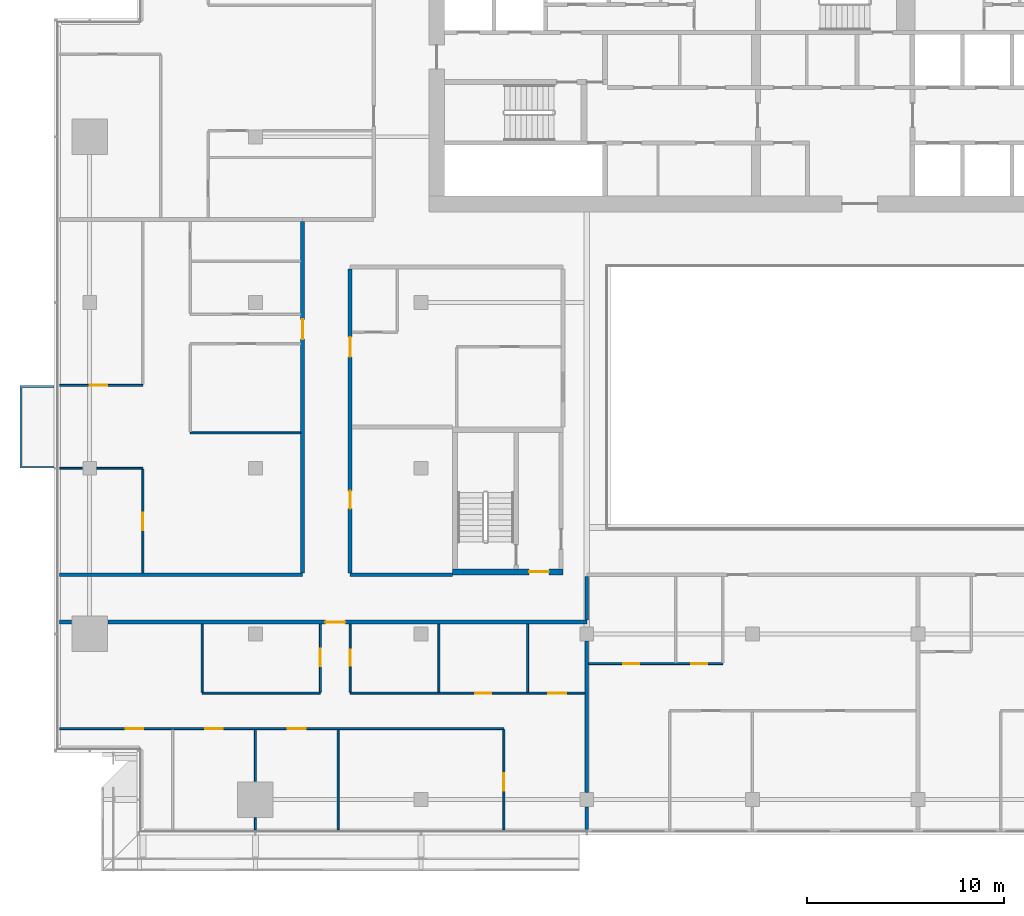
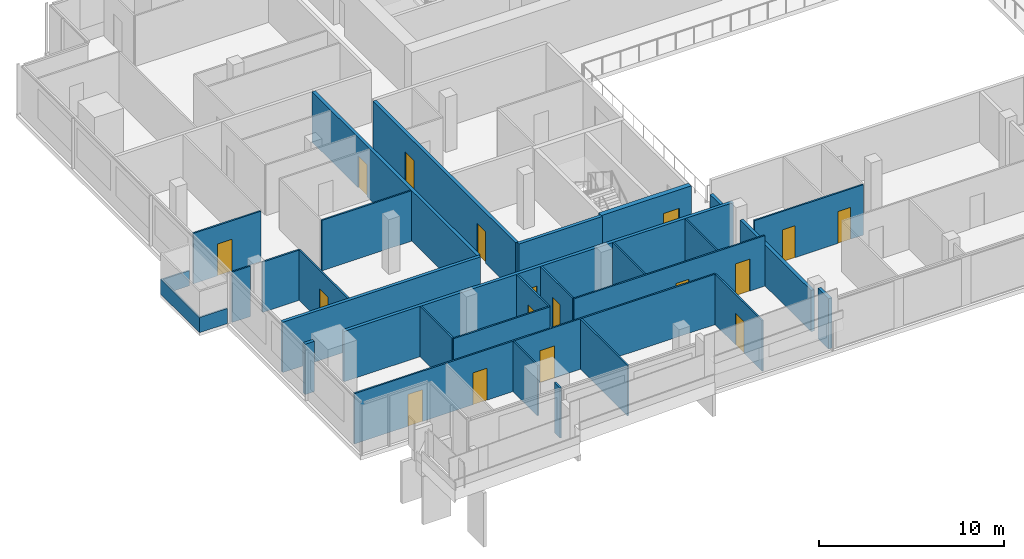
# One storey, part 17 of 30: 29 walls, 17 doors, 17 openings.
"""IFC4 building model written with IfcOpenShell, lengths in metres."""

from ifc_helpers import new_model, si_unit, direction, frame, frame_2d, origin, place, context, subcontext, project, spatial, polyline, rectangle, outline, extrude, material, layer, layer_set, type_object, element, fill, save


model = new_model("IFC4")

# Units and contexts
model_context = context("Model", 3, precision=1e-05, world=origin(), true_north=direction((0.0, 1.0)))
body_context = subcontext(model_context, "Body", "Model", "MODEL_VIEW")
ifc_project = project(units=[si_unit("LENGTHUNIT", "METRE"), si_unit("AREAUNIT", "SQUARE_METRE"), si_unit("VOLUMEUNIT", "CUBIC_METRE"), si_unit("PLANEANGLEUNIT", "RADIAN"), si_unit("MASSUNIT", "GRAM", prefix="KILO")], contexts=[model_context])

# Site, building, storey
site_placement = place(None, origin())
site = spatial("IfcSite", under=ifc_project, at=site_placement, CompositionType="ELEMENT")
building_placement = place(site_placement, origin())
building = spatial("IfcBuilding", under=site, at=building_placement, Name="Saffron Gate Tower", CompositionType="ELEMENT")
storey_placement = place(building_placement, frame((0.0, 0.0, 169.050048828125)))
storey = spatial("IfcBuildingStorey", under=building, at=storey_placement, Name="L41", CompositionType="ELEMENT", Elevation=169.050048828125)

# Wall, opening, door
ifc_material_1 = material(Name="Concrete C60", Category="concrete")
ifc_layer_1 = layer(ifc_material_1, 0.300048828125)
ifc_layer_set_1 = layer_set([ifc_layer_1], Name="CW17 RC core wall 300 C60")
wall_type_1 = type_object("IfcWallType", Name="CW17 RC core wall 300 C60", PredefinedType="SOLIDWALL", material=ifc_layer_set_1)
wall_1_placement = place(storey_placement, frame((68.199951171875, 43.35009765625, 0.0), z_axis=(0.0, 0.0, 1.0), x_axis=(1.0, 0.0, 0.0)))
wall_1 = element("IfcWall", 1, at=wall_1_placement, inside=storey, type_object=wall_type_1, Name="Wall CW17-L41-D-1", PredefinedType="SOLIDWALL", context=body_context, shape_type="SweptSolid", body=[
    extrude(rectangle(XDim=5.60009765625, YDim=0.300048828125, at=frame_2d((2.800048828125, 0.0))), origin(), (0.0, 0.0, 1.0), 3.320068359375),
])
opening_1_placement = place(wall_1_placement, frame((3.875, 0.0, 0.0)))
opening_1 = element("IfcOpeningElement", 2, at=opening_1_placement, cuts=wall_1, Name="Opening CR-18", PredefinedType="OPENING", context=body_context, shape_type="SweptSolid", body=[
    extrude(rectangle(XDim=1.0, YDim=2.10009765625, at=frame_2d((0.5, 1.050048828125))), frame((0.0, 0.16015625, 0.0), z_axis=(0.0, -1.0, 0.0), x_axis=(1.0, 0.0, 0.0)), (0.0, 0.0, 1.0), 0.320068359375),
])
ifc_material_2 = material(Name="Steel fire door set", Category="steel")
door_type_1 = type_object("IfcDoorType", Name="CD4 Lobby door 1000x2100 EI 120", OperationType="NOTDEFINED", PredefinedType="DOOR", material=ifc_material_2)
door_1_placement = place(opening_1_placement, origin())
door_1 = element("IfcDoor", 3, at=door_1_placement, inside=storey, type_object=door_type_1, Name="DOOR CR-18", OperationType="SINGLE_SWING_RIGHT", OverallHeight=2.10009765625, OverallWidth=1.0, PredefinedType="DOOR", context=body_context, shape_type="SweptSolid", body=[
    extrude(rectangle(XDim=1.0, YDim=2.10009765625, at=frame_2d((0.5, 1.050048828125))), frame((0.0, 0.02490234375, 0.0), z_axis=(0.0, -1.0, 0.0), x_axis=(1.0, 0.0, 0.0)), (0.0, 0.0, 1.0), 0.050048828125),
])
fill(opening_1, door_1)

# Wall, openings, doors
ifc_material_3 = material(Name="Plasterboard on steel studs", Category="steel")
ifc_layer_2 = layer(ifc_material_3, 0.10009765625)
ifc_layer_set_2 = layer_set([ifc_layer_2], Name="PW1 Partition 100")
wall_type_2 = type_object("IfcWallType", Name="PW1 Partition 100", PredefinedType="PARTITIONING", material=ifc_layer_set_2)
wall_2_placement = place(storey_placement, frame((70.800048828125, 35.39990234375, 0.0), z_axis=(0.0, 0.0, 1.0), x_axis=(-1.0, 0.0, 0.0)))
wall_2 = element("IfcWall", 4, at=wall_2_placement, inside=storey, type_object=wall_type_2, Name="Partition C3-2", PredefinedType="PARTITIONING", context=body_context, shape_type="SweptSolid", body=[
    extrude(rectangle(XDim=22.52001953125, YDim=0.10009765625, at=frame_2d((11.260009765625, 0.0))), origin(), (0.0, 0.0, 1.0), 3.320068359375),
])
opening_2_placement = place(wall_2_placement, frame((10.050048828125, 0.0, 0.0)))
opening_2 = element("IfcOpeningElement", 5, at=opening_2_placement, cuts=wall_2, Name="Opening C3-13", PredefinedType="OPENING", context=body_context, shape_type="SweptSolid", body=[
    extrude(rectangle(XDim=0.89990234375, YDim=2.10009765625, at=frame_2d((0.449951171875, 1.050048828125))), frame((0.0, 0.06005859375, 0.0), z_axis=(0.0, -1.0, 0.0), x_axis=(1.0, 0.0, 0.0)), (0.0, 0.0, 1.0), 0.1201171875),
])
opening_3_placement = place(wall_2_placement, frame((14.25, 0.0, 0.0)))
opening_3 = element("IfcOpeningElement", 6, at=opening_3_placement, cuts=wall_2, Name="Opening C3-12", PredefinedType="OPENING", context=body_context, shape_type="SweptSolid", body=[
    extrude(rectangle(XDim=0.89990234375, YDim=2.10009765625, at=frame_2d((0.449951171875, 1.050048828125))), frame((0.0, 0.06005859375, 0.0), z_axis=(0.0, -1.0, 0.0), x_axis=(1.0, 0.0, 0.0)), (0.0, 0.0, 1.0), 0.1201171875),
])
opening_4_placement = place(wall_2_placement, frame((18.2744140625, 0.0, 0.0)))
opening_4 = element("IfcOpeningElement", 7, at=opening_4_placement, cuts=wall_2, Name="Opening C3-11", PredefinedType="OPENING", context=body_context, shape_type="SweptSolid", body=[
    extrude(rectangle(XDim=0.89990234375, YDim=2.10009765625, at=frame_2d((0.449951171875, 1.050048828125))), frame((0.0, 0.06005859375, 0.0), z_axis=(0.0, -1.0, 0.0), x_axis=(1.0, 0.0, 0.0)), (0.0, 0.0, 1.0), 0.1201171875),
])
ifc_material_4 = material(Name="Timber door set", Category="wood")
door_type_2 = type_object("IfcDoorType", Name="RD1 Room door 900x2100", OperationType="NOTDEFINED", PredefinedType="DOOR", material=ifc_material_4)
door_2_placement = place(opening_2_placement, origin())
door_2 = element("IfcDoor", 8, at=door_2_placement, inside=storey, type_object=door_type_2, Name="Door C3-13", OperationType="SINGLE_SWING_RIGHT", OverallHeight=2.10009765625, OverallWidth=0.89990234375, PredefinedType="DOOR", context=body_context, shape_type="SweptSolid", body=[
    extrude(rectangle(XDim=0.89990234375, YDim=2.10009765625, at=frame_2d((0.449951171875, 1.050048828125))), frame((0.0, 0.02490234375, 0.0), z_axis=(0.0, -1.0, 0.0), x_axis=(1.0, 0.0, 0.0)), (0.0, 0.0, 1.0), 0.050048828125),
])
fill(opening_2, door_2)
door_3_placement = place(opening_3_placement, origin())
door_3 = element("IfcDoor", 9, at=door_3_placement, inside=storey, type_object=door_type_2, Name="Door C3-12", OperationType="SINGLE_SWING_RIGHT", OverallHeight=2.10009765625, OverallWidth=0.89990234375, PredefinedType="DOOR", context=body_context, shape_type="SweptSolid", body=[
    extrude(rectangle(XDim=0.89990234375, YDim=2.10009765625, at=frame_2d((0.449951171875, 1.050048828125))), frame((0.0, 0.02490234375, 0.0), z_axis=(0.0, -1.0, 0.0), x_axis=(1.0, 0.0, 0.0)), (0.0, 0.0, 1.0), 0.050048828125),
])
fill(opening_3, door_3)
door_4_placement = place(opening_4_placement, origin())
door_4 = element("IfcDoor", 10, at=door_4_placement, inside=storey, type_object=door_type_2, Name="Door C3-11", OperationType="SINGLE_SWING_LEFT", OverallHeight=2.10009765625, OverallWidth=0.89990234375, PredefinedType="DOOR", context=body_context, shape_type="SweptSolid", body=[
    extrude(rectangle(XDim=0.89990234375, YDim=2.10009765625, at=frame_2d((0.449951171875, 1.050048828125))), frame((0.0, 0.02490234375, 0.0), z_axis=(0.0, -1.0, 0.0), x_axis=(1.0, 0.0, 0.0)), (0.0, 0.0, 1.0), 0.050048828125),
])
fill(opening_4, door_4)

# Wall
wall_3_placement = place(storey_placement, frame((55.5, 37.199951171875, 0.0), z_axis=(0.0, 0.0, 1.0), x_axis=(1.0, 0.0, 0.0)))
element("IfcWall", 11, at=wall_3_placement, inside=storey, type_object=wall_type_2, Name="Partition C3-5", PredefinedType="PARTITIONING", context=body_context, shape_type="SweptSolid", body=[
    extrude(rectangle(XDim=6.0, YDim=0.10009765625, at=frame_2d((3.0, 0.0))), origin(), (0.0, 0.0, 1.0), 3.320068359375),
])

# Wall, openings, doors
wall_4_placement = place(storey_placement, frame((63.0, 37.199951171875, 0.0), z_axis=(0.0, 0.0, 1.0), x_axis=(1.0, 0.0, 0.0)))
wall_4 = element("IfcWall", 12, at=wall_4_placement, inside=storey, type_object=wall_type_2, Name="Partition C3-6", PredefinedType="PARTITIONING", context=body_context, shape_type="SweptSolid", body=[
    extrude(rectangle(XDim=11.89990234375, YDim=0.10009765625, at=frame_2d((5.949951171875, 0.0))), origin(), (0.0, 0.0, 1.0), 3.320068359375),
])
opening_5_placement = place(wall_4_placement, frame((6.35009765625, 0.0, 0.0)))
opening_5 = element("IfcOpeningElement", 13, at=opening_5_placement, cuts=wall_4, Name="Opening C3-41", PredefinedType="OPENING", context=body_context, shape_type="SweptSolid", body=[
    extrude(rectangle(XDim=0.800048828125, YDim=2.10009765625, at=frame_2d((0.39990234375, 1.050048828125))), frame((0.0, 0.06005859375, 0.0), z_axis=(0.0, -1.0, 0.0), x_axis=(1.0, 0.0, 0.0)), (0.0, 0.0, 1.0), 0.1201171875),
])
opening_6_placement = place(wall_4_placement, frame((10.050048828125, 0.0, 0.0)))
opening_6 = element("IfcOpeningElement", 14, at=opening_6_placement, cuts=wall_4, Name="Opening C3-16", PredefinedType="OPENING", context=body_context, shape_type="SweptSolid", body=[
    extrude(rectangle(XDim=0.89990234375, YDim=2.10009765625, at=frame_2d((0.449951171875, 1.050048828125))), frame((0.0, 0.06005859375, 0.0), z_axis=(0.0, -1.0, 0.0), x_axis=(1.0, 0.0, 0.0)), (0.0, 0.0, 1.0), 0.1201171875),
])
door_5_placement = place(opening_6_placement, origin())
door_5 = element("IfcDoor", 15, at=door_5_placement, inside=storey, type_object=door_type_2, Name="Door C3-16", OperationType="SINGLE_SWING_RIGHT", OverallHeight=2.10009765625, OverallWidth=0.89990234375, PredefinedType="DOOR", context=body_context, shape_type="SweptSolid", body=[
    extrude(rectangle(XDim=0.89990234375, YDim=2.10009765625, at=frame_2d((0.449951171875, 1.050048828125))), frame((0.0, 0.02490234375, 0.0), z_axis=(0.0, -1.0, 0.0), x_axis=(1.0, 0.0, 0.0)), (0.0, 0.0, 1.0), 0.050048828125),
])
fill(opening_6, door_5)
door_type_3 = type_object("IfcDoorType", Name="RD2 Bathroom door 800x2100", OperationType="NOTDEFINED", PredefinedType="DOOR", material=ifc_material_4)
door_6_placement = place(opening_5_placement, origin())
door_6 = element("IfcDoor", 16, at=door_6_placement, inside=storey, type_object=door_type_3, Name="Door C3-41", OperationType="SINGLE_SWING_LEFT", OverallHeight=2.10009765625, OverallWidth=0.800048828125, PredefinedType="DOOR", context=body_context, shape_type="SweptSolid", body=[
    extrude(rectangle(XDim=0.800048828125, YDim=2.10009765625, at=frame_2d((0.39990234375, 1.050048828125))), frame((0.0, 0.02490234375, 0.0), z_axis=(0.0, -1.0, 0.0), x_axis=(1.0, 0.0, 0.0)), (0.0, 0.0, 1.0), 0.050048828125),
])
fill(opening_5, door_6)

wall_5_placement = place(storey_placement, frame((75.10009765625, 38.699951171875, 0.0), z_axis=(0.0, 0.0, 1.0), x_axis=(1.0, 0.0, 0.0)))
wall_5 = element("IfcWall", 17, at=wall_5_placement, inside=storey, type_object=wall_type_2, Name="Partition C3-7", PredefinedType="PARTITIONING", context=body_context, shape_type="SweptSolid", body=[
    extrude(rectangle(XDim=6.7998046875, YDim=0.10009765625, at=frame_2d((3.39990234375, 0.0))), origin(), (0.0, 0.0, 1.0), 3.320068359375),
])
opening_7_placement = place(wall_5_placement, frame((1.75, 0.0, 0.0)))
opening_7 = element("IfcOpeningElement", 18, at=opening_7_placement, cuts=wall_5, Name="Opening C3-42", PredefinedType="OPENING", context=body_context, shape_type="SweptSolid", body=[
    extrude(rectangle(XDim=0.800048828125, YDim=2.10009765625, at=frame_2d((0.39990234375, 1.050048828125))), frame((0.0, 0.06005859375, 0.0), z_axis=(0.0, -1.0, 0.0), x_axis=(1.0, 0.0, 0.0)), (0.0, 0.0, 1.0), 0.1201171875),
])
opening_8_placement = place(wall_5_placement, frame((5.199951171875, 0.0, 0.0)))
opening_8 = element("IfcOpeningElement", 19, at=opening_8_placement, cuts=wall_5, Name="Opening C3-43", PredefinedType="OPENING", context=body_context, shape_type="SweptSolid", body=[
    extrude(rectangle(XDim=0.800048828125, YDim=2.10009765625, at=frame_2d((0.39990234375, 1.050048828125))), frame((0.0, 0.06005859375, 0.0), z_axis=(0.0, -1.0, 0.0), x_axis=(1.0, 0.0, 0.0)), (0.0, 0.0, 1.0), 0.1201171875),
])
door_7_placement = place(opening_7_placement, origin())
door_7 = element("IfcDoor", 20, at=door_7_placement, inside=storey, type_object=door_type_3, Name="Door C3-42", OperationType="SINGLE_SWING_LEFT", OverallHeight=2.10009765625, OverallWidth=0.800048828125, PredefinedType="DOOR", context=body_context, shape_type="SweptSolid", body=[
    extrude(rectangle(XDim=0.800048828125, YDim=2.10009765625, at=frame_2d((0.39990234375, 1.050048828125))), frame((0.0, 0.02490234375, 0.0), z_axis=(0.0, -1.0, 0.0), x_axis=(1.0, 0.0, 0.0)), (0.0, 0.0, 1.0), 0.050048828125),
])
fill(opening_7, door_7)
door_8_placement = place(opening_8_placement, origin())
door_8 = element("IfcDoor", 21, at=door_8_placement, inside=storey, type_object=door_type_3, Name="Door C3-43", OperationType="SINGLE_SWING_RIGHT", OverallHeight=2.10009765625, OverallWidth=0.800048828125, PredefinedType="DOOR", context=body_context, shape_type="SweptSolid", body=[
    extrude(rectangle(XDim=0.800048828125, YDim=2.10009765625, at=frame_2d((0.39990234375, 1.050048828125))), frame((0.0, 0.02490234375, 0.0), z_axis=(0.0, -1.0, 0.0), x_axis=(1.0, 0.0, 0.0)), (0.0, 0.0, 1.0), 0.050048828125),
])
fill(opening_8, door_8)

# Walls
wall_6_placement = place(storey_placement, frame((48.280029296875, 48.60009765625, 0.0), z_axis=(0.0, 0.0, 1.0), x_axis=(1.0, 0.0, 0.0)))
element("IfcWall", 22, at=wall_6_placement, inside=storey, type_object=wall_type_2, Name="Partition C3-21", PredefinedType="PARTITIONING", context=body_context, shape_type="SweptSolid", body=[
    extrude(rectangle(XDim=1.14990234375, YDim=0.10009765625, at=frame_2d((0.574951171875, 0.0))), origin(), (0.0, 0.0, 1.0), 3.320068359375),
])
wall_7_placement = place(storey_placement, frame((50.169921875, 48.60009765625, 0.0), z_axis=(0.0, 0.0, 1.0), x_axis=(1.0, 0.0, 0.0)))
element("IfcWall", 23, at=wall_7_placement, inside=storey, type_object=wall_type_2, Name="Partition C3-22", PredefinedType="PARTITIONING", context=body_context, shape_type="SweptSolid", body=[
    extrude(rectangle(XDim=2.330078125, YDim=0.10009765625, at=frame_2d((1.1650390625, 0.0))), origin(), (0.0, 0.0, 1.0), 3.320068359375),
])
wall_8_placement = place(storey_placement, frame((54.89990234375, 50.39306640625, 0.0), z_axis=(0.0, 0.0, 1.0), x_axis=(1.0, 0.0, 0.0)))
element("IfcWall", 24, at=wall_8_placement, inside=storey, type_object=wall_type_2, Name="Partition C3-25", PredefinedType="PARTITIONING", context=body_context, shape_type="SweptSolid", body=[
    extrude(rectangle(XDim=5.60009765625, YDim=0.10009765625, at=frame_2d((2.800048828125, 0.0))), origin(), (0.0, 0.0, 1.0), 3.320068359375),
])

# Wall, opening, door
wall_9_placement = place(storey_placement, frame((48.280029296875, 52.800048828125, 0.0), z_axis=(0.0, 0.0, 1.0), x_axis=(1.0, 0.0, 0.0)))
wall_9 = element("IfcWall", 25, at=wall_9_placement, inside=storey, type_object=wall_type_2, Name="Partition C3-28", PredefinedType="PARTITIONING", context=body_context, shape_type="SweptSolid", body=[
    extrude(rectangle(XDim=4.219970703125, YDim=0.10009765625, at=frame_2d((2.10986328125, 0.0))), origin(), (0.0, 0.0, 1.0), 3.320068359375),
])
opening_9_placement = place(wall_9_placement, frame((1.52001953125, 0.0, 0.0)))
opening_9 = element("IfcOpeningElement", 26, at=opening_9_placement, cuts=wall_9, Name="Opening C3-27", PredefinedType="OPENING", context=body_context, shape_type="SweptSolid", body=[
    extrude(rectangle(XDim=0.89990234375, YDim=2.10009765625, at=frame_2d((0.449951171875, 1.050048828125))), frame((0.0, 0.06005859375, 0.0), z_axis=(0.0, -1.0, 0.0), x_axis=(1.0, 0.0, 0.0)), (0.0, 0.0, 1.0), 0.1201171875),
])
door_9_placement = place(opening_9_placement, origin())
door_9 = element("IfcDoor", 27, at=door_9_placement, inside=storey, type_object=door_type_2, Name="Door C3-27", OperationType="SINGLE_SWING_LEFT", OverallHeight=2.10009765625, OverallWidth=0.89990234375, PredefinedType="DOOR", context=body_context, shape_type="SweptSolid", body=[
    extrude(rectangle(XDim=0.89990234375, YDim=2.10009765625, at=frame_2d((0.449951171875, 1.050048828125))), frame((0.0, 0.02490234375, 0.0), z_axis=(0.0, -1.0, 0.0), x_axis=(1.0, 0.0, 0.0)), (0.0, 0.0, 1.0), 0.050048828125),
])
fill(opening_9, door_9)

wall_10_placement = place(storey_placement, frame((52.5, 43.300048828125, 0.0), z_axis=(0.0, 0.0, 1.0), x_axis=(0.0, 1.0, 0.0)))
wall_10 = element("IfcWall", 28, at=wall_10_placement, inside=storey, type_object=wall_type_2, Name="Partition C3-57", PredefinedType="PARTITIONING", context=body_context, shape_type="SweptSolid", body=[
    extrude(rectangle(XDim=5.25, YDim=0.10009765625, at=frame_2d((2.625, 0.0))), origin(), (0.0, 0.0, 1.0), 3.320068359375),
])
opening_10_placement = place(wall_10_placement, frame((2.14990234375, 0.0, 0.0)))
opening_10 = element("IfcOpeningElement", 29, at=opening_10_placement, cuts=wall_10, Name="Opening C3-26", PredefinedType="OPENING", context=body_context, shape_type="SweptSolid", body=[
    extrude(rectangle(XDim=0.89990234375, YDim=2.10009765625, at=frame_2d((0.449951171875, 1.050048828125))), frame((0.0, 0.06005859375, 0.0), z_axis=(0.0, -1.0, 0.0), x_axis=(1.0, 0.0, 0.0)), (0.0, 0.0, 1.0), 0.1201171875),
])
door_10_placement = place(opening_10_placement, origin())
door_10 = element("IfcDoor", 30, at=door_10_placement, inside=storey, type_object=door_type_2, Name="Door C3-26", OperationType="SINGLE_SWING_LEFT", OverallHeight=2.10009765625, OverallWidth=0.89990234375, PredefinedType="DOOR", context=body_context, shape_type="SweptSolid", body=[
    extrude(rectangle(XDim=0.89990234375, YDim=2.10009765625, at=frame_2d((0.449951171875, 1.050048828125))), frame((0.0, 0.02490234375, 0.0), z_axis=(0.0, -1.0, 0.0), x_axis=(1.0, 0.0, 0.0)), (0.0, 0.0, 1.0), 0.050048828125),
])
fill(opening_10, door_10)

# Walls
wall_11_placement = place(storey_placement, frame((55.5, 40.699951171875, 0.0), z_axis=(0.0, 0.0, 1.0), x_axis=(0.0, -1.0, 0.0)))
element("IfcWall", 31, at=wall_11_placement, inside=storey, type_object=wall_type_2, Name="Partition C3-63", PredefinedType="PARTITIONING", context=body_context, shape_type="SweptSolid", body=[
    extrude(rectangle(XDim=3.449951171875, YDim=0.10009765625, at=frame_2d((1.72509765625, 0.0))), origin(), (0.0, 0.0, 1.0), 3.320068359375),
])
wall_12_placement = place(storey_placement, frame((58.199951171875, 30.8798828125, 0.0), z_axis=(0.0, 0.0, 1.0), x_axis=(0.0, -1.0, 0.0)))
element("IfcWall", 32, at=wall_12_placement, inside=storey, type_object=wall_type_2, Name="Partition C3-66", PredefinedType="PARTITIONING", context=body_context, shape_type="SweptSolid", body=[
    extrude(rectangle(XDim=0.599853515625, YDim=0.10009765625, at=frame_2d((0.2998046875, 0.0))), origin(), (0.0, 0.0, 1.0), 3.320068359375),
])
wall_13_placement = place(storey_placement, frame((58.199951171875, 35.35009765625, 0.0), z_axis=(0.0, 0.0, 1.0), x_axis=(0.0, -1.0, 0.0)))
element("IfcWall", 33, at=wall_13_placement, inside=storey, type_object=wall_type_2, Name="Partition C3-67", PredefinedType="PARTITIONING", context=body_context, shape_type="SweptSolid", body=[
    extrude(rectangle(XDim=2.630126953125, YDim=0.10009765625, at=frame_2d((1.31494140625, 0.0))), origin(), (0.0, 0.0, 1.0), 3.320068359375),
])

# Wall, opening, door
wall_14_placement = place(storey_placement, frame((61.5, 37.25, 0.0), z_axis=(0.0, 0.0, 1.0), x_axis=(0.0, 1.0, 0.0)))
wall_14 = element("IfcWall", 34, at=wall_14_placement, inside=storey, type_object=wall_type_2, Name="Partition C3-69", PredefinedType="PARTITIONING", context=body_context, shape_type="SweptSolid", body=[
    extrude(rectangle(XDim=3.449951171875, YDim=0.10009765625, at=frame_2d((1.72509765625, 0.0))), origin(), (0.0, 0.0, 1.0), 3.320068359375),
])
opening_11_placement = place(wall_14_placement, frame((1.300048828125, 0.0, 0.0)))
opening_11 = element("IfcOpeningElement", 35, at=opening_11_placement, cuts=wall_14, Name="Opening C3-15", PredefinedType="OPENING", context=body_context, shape_type="SweptSolid", body=[
    extrude(rectangle(XDim=0.89990234375, YDim=2.10009765625, at=frame_2d((0.449951171875, 1.050048828125))), frame((0.0, 0.06005859375, 0.0), z_axis=(0.0, -1.0, 0.0), x_axis=(1.0, 0.0, 0.0)), (0.0, 0.0, 1.0), 0.1201171875),
])
door_11_placement = place(opening_11_placement, origin())
door_11 = element("IfcDoor", 36, at=door_11_placement, inside=storey, type_object=door_type_2, Name="Door C3-15", OperationType="SINGLE_SWING_RIGHT", OverallHeight=2.10009765625, OverallWidth=0.89990234375, PredefinedType="DOOR", context=body_context, shape_type="SweptSolid", body=[
    extrude(rectangle(XDim=0.89990234375, YDim=2.10009765625, at=frame_2d((0.449951171875, 1.050048828125))), frame((0.0, 0.02490234375, 0.0), z_axis=(0.0, -1.0, 0.0), x_axis=(1.0, 0.0, 0.0)), (0.0, 0.0, 1.0), 0.050048828125),
])
fill(opening_11, door_11)

# Wall
wall_15_placement = place(storey_placement, frame((62.39990234375, 35.35009765625, 0.0), z_axis=(0.0, 0.0, 1.0), x_axis=(0.0, -1.0, 0.0)))
element("IfcWall", 37, at=wall_15_placement, inside=storey, type_object=wall_type_2, Name="Partition C3-70", PredefinedType="PARTITIONING", context=body_context, shape_type="SweptSolid", body=[
    extrude(rectangle(XDim=5.070068359375, YDim=0.10009765625, at=frame_2d((2.53515625, 0.0))), origin(), (0.0, 0.0, 1.0), 3.320068359375),
])

# Wall, opening, door
wall_16_placement = place(storey_placement, frame((63.0, 40.699951171875, 0.0), z_axis=(0.0, 0.0, 1.0), x_axis=(0.0, -1.0, 0.0)))
wall_16 = element("IfcWall", 38, at=wall_16_placement, inside=storey, type_object=wall_type_2, Name="Partition C3-72", PredefinedType="PARTITIONING", context=body_context, shape_type="SweptSolid", body=[
    extrude(rectangle(XDim=3.449951171875, YDim=0.10009765625, at=frame_2d((1.72509765625, 0.0))), origin(), (0.0, 0.0, 1.0), 3.320068359375),
])
opening_12_placement = place(wall_16_placement, frame((1.300048828125, 0.0, 0.0)))
opening_12 = element("IfcOpeningElement", 39, at=opening_12_placement, cuts=wall_16, Name="Opening C3-40", PredefinedType="OPENING", context=body_context, shape_type="SweptSolid", body=[
    extrude(rectangle(XDim=0.800048828125, YDim=2.10009765625, at=frame_2d((0.39990234375, 1.050048828125))), frame((0.0, 0.06005859375, 0.0), z_axis=(0.0, -1.0, 0.0), x_axis=(1.0, 0.0, 0.0)), (0.0, 0.0, 1.0), 0.1201171875),
])
door_12_placement = place(opening_12_placement, origin())
door_12 = element("IfcDoor", 40, at=door_12_placement, inside=storey, type_object=door_type_3, Name="Door C3-40", OperationType="SINGLE_SWING_LEFT", OverallHeight=2.10009765625, OverallWidth=0.800048828125, PredefinedType="DOOR", context=body_context, shape_type="SweptSolid", body=[
    extrude(rectangle(XDim=0.800048828125, YDim=2.10009765625, at=frame_2d((0.39990234375, 1.050048828125))), frame((0.0, 0.02490234375, 0.0), z_axis=(0.0, -1.0, 0.0), x_axis=(1.0, 0.0, 0.0)), (0.0, 0.0, 1.0), 0.050048828125),
])
fill(opening_12, door_12)

# Wall
wall_17_placement = place(storey_placement, frame((67.5, 40.699951171875, 0.0), z_axis=(0.0, 0.0, 1.0), x_axis=(0.0, -1.0, 0.0)))
element("IfcWall", 41, at=wall_17_placement, inside=storey, type_object=wall_type_2, Name="Partition C3-75", PredefinedType="PARTITIONING", context=body_context, shape_type="SweptSolid", body=[
    extrude(rectangle(XDim=3.449951171875, YDim=0.10009765625, at=frame_2d((1.72509765625, 0.0))), origin(), (0.0, 0.0, 1.0), 3.320068359375),
])

# Wall, opening, door
wall_18_placement = place(storey_placement, frame((70.800048828125, 30.280029296875, 0.0), z_axis=(0.0, 0.0, 1.0), x_axis=(0.0, 1.0, 0.0)))
wall_18 = element("IfcWall", 42, at=wall_18_placement, inside=storey, type_object=wall_type_2, Name="Partition C3-77", PredefinedType="PARTITIONING", context=body_context, shape_type="SweptSolid", body=[
    extrude(rectangle(XDim=5.070068359375, YDim=0.10009765625, at=frame_2d((2.53515625, 0.0))), origin(), (0.0, 0.0, 1.0), 3.320068359375),
])
opening_13_placement = place(wall_18_placement, frame((1.969970703125, 0.0, 0.0)))
opening_13 = element("IfcOpeningElement", 43, at=opening_13_placement, cuts=wall_18, Name="Opening C3-14", PredefinedType="OPENING", context=body_context, shape_type="SweptSolid", body=[
    extrude(rectangle(XDim=0.89990234375, YDim=2.10009765625, at=frame_2d((0.449951171875, 1.050048828125))), frame((0.0, 0.06005859375, 0.0), z_axis=(0.0, -1.0, 0.0), x_axis=(1.0, 0.0, 0.0)), (0.0, 0.0, 1.0), 0.1201171875),
])
door_13_placement = place(opening_13_placement, origin())
door_13 = element("IfcDoor", 44, at=door_13_placement, inside=storey, type_object=door_type_2, Name="Door C3-14", OperationType="SINGLE_SWING_LEFT", OverallHeight=2.10009765625, OverallWidth=0.89990234375, PredefinedType="DOOR", context=body_context, shape_type="SweptSolid", body=[
    extrude(rectangle(XDim=0.89990234375, YDim=2.10009765625, at=frame_2d((0.449951171875, 1.050048828125))), frame((0.0, 0.02490234375, 0.0), z_axis=(0.0, -1.0, 0.0), x_axis=(1.0, 0.0, 0.0)), (0.0, 0.0, 1.0), 0.050048828125),
])
fill(opening_13, door_13)

# Walls
wall_19_placement = place(storey_placement, frame((72.0, 40.699951171875, 0.0), z_axis=(0.0, 0.0, 1.0), x_axis=(0.0, -1.0, 0.0)))
element("IfcWall", 45, at=wall_19_placement, inside=storey, type_object=wall_type_2, Name="Partition C3-78", PredefinedType="PARTITIONING", context=body_context, shape_type="SweptSolid", body=[
    extrude(rectangle(XDim=3.449951171875, YDim=0.10009765625, at=frame_2d((1.72509765625, 0.0))), origin(), (0.0, 0.0, 1.0), 3.320068359375),
])
ifc_material_5 = material(Name="Clay brick masonry, rendered", Category="masonry")
ifc_layer_3 = layer(ifc_material_5, 0.199951171875)
ifc_layer_set_3 = layer_set([ifc_layer_3], Name="PW2 Demising wall 200")
wall_type_3 = type_object("IfcWallType", Name="PW2 Demising wall 200", PredefinedType="PARTITIONING", material=ifc_layer_set_3)
wall_20_placement = place(storey_placement, frame((75.0, 31.429931640625, 0.0), z_axis=(0.0, 0.0, 1.0), x_axis=(0.0, -1.0, 0.0)))
element("IfcWall", 46, at=wall_20_placement, inside=storey, type_object=wall_type_3, Name="Wall C3-81", PredefinedType="PARTITIONING", context=body_context, shape_type="SweptSolid", body=[
    extrude(rectangle(XDim=1.14990234375, YDim=0.199951171875, at=frame_2d((0.574951171875, 0.0))), origin(), (0.0, 0.0, 1.0), 3.320068359375),
])
wall_21_placement = place(storey_placement, frame((75.0, 39.830078125, 0.0), z_axis=(0.0, 0.0, 1.0), x_axis=(0.0, -1.0, 0.0)))
element("IfcWall", 47, at=wall_21_placement, inside=storey, type_object=wall_type_3, Name="Wall C3-82", PredefinedType="PARTITIONING", context=body_context, shape_type="SweptSolid", body=[
    extrude(rectangle(XDim=7.66015625, YDim=0.199951171875, at=frame_2d((3.830078125, 0.0))), origin(), (0.0, 0.0, 1.0), 2.719970703125),
])
ifc_layer_4 = layer(ifc_material_5, 0.199951171875)
ifc_layer_set_4 = layer_set([ifc_layer_4], Name="PW3 Corridor wall 200")
wall_type_4 = type_object("IfcWallType", Name="PW3 Corridor wall 200", PredefinedType="PARTITIONING", material=ifc_layer_set_4)
wall_22_placement = place(storey_placement, frame((48.280029296875, 40.800048828125, 0.0), z_axis=(0.0, 0.0, 1.0), x_axis=(1.0, 0.0, 0.0)))
element("IfcWall", 48, at=wall_22_placement, inside=storey, type_object=wall_type_4, Name="Wall C3-9", PredefinedType="PARTITIONING", context=body_context, shape_type="SweptSolid", body=[
    extrude(rectangle(XDim=0.599853515625, YDim=0.199951171875, at=frame_2d((0.2998046875, 0.0))), origin(), (0.0, 0.0, 1.0), 3.320068359375),
])

# Wall, opening, door
wall_23_placement = place(storey_placement, frame((75.0, 40.800048828125, 0.0), z_axis=(0.0, 0.0, 1.0), x_axis=(-1.0, 0.0, 0.0)))
wall_23 = element("IfcWall", 49, at=wall_23_placement, inside=storey, type_object=wall_type_4, Name="Wall C3-10", PredefinedType="PARTITIONING", context=body_context, shape_type="SweptSolid", body=[
    extrude(rectangle(XDim=24.280029296875, YDim=0.199951171875, at=frame_2d((12.14013671875, 0.0))), origin(), (0.0, 0.0, 1.0), 3.320068359375),
])
opening_14_placement = place(wall_23_placement, frame((12.25, 0.0, 0.0)))
opening_14 = element("IfcOpeningElement", 50, at=opening_14_placement, cuts=wall_23, Name="Opening C3-1", PredefinedType="OPENING", context=body_context, shape_type="SweptSolid", body=[
    extrude(rectangle(XDim=1.0, YDim=2.10009765625, at=frame_2d((0.5, 1.050048828125))), frame((0.0, 0.10986328125, 0.0), z_axis=(0.0, -1.0, 0.0), x_axis=(1.0, 0.0, 0.0)), (0.0, 0.0, 1.0), 0.219970703125),
])
ifc_material_6 = material(Name="Timber fire door set", Category="wood")
door_type_4 = type_object("IfcDoorType", Name="FD1 Flat entry door 1000x2100", OperationType="NOTDEFINED", PredefinedType="DOOR", material=ifc_material_6)
door_14_placement = place(opening_14_placement, origin())
door_14 = element("IfcDoor", 51, at=door_14_placement, inside=storey, type_object=door_type_4, Name="Door C3-1", OperationType="SINGLE_SWING_LEFT", OverallHeight=2.10009765625, OverallWidth=1.0, PredefinedType="DOOR", context=body_context, shape_type="SweptSolid", body=[
    extrude(rectangle(XDim=1.0, YDim=2.10009765625, at=frame_2d((0.5, 1.050048828125))), frame((0.0, 0.02490234375, 0.0), z_axis=(0.0, -1.0, 0.0), x_axis=(1.0, 0.0, 0.0)), (0.0, 0.0, 1.0), 0.050048828125),
])
fill(opening_14, door_14)

# Walls
wall_24_placement = place(storey_placement, frame((48.280029296875, 43.199951171875, 0.0), z_axis=(0.0, 0.0, 1.0), x_axis=(1.0, 0.0, 0.0)))
element("IfcWall", 52, at=wall_24_placement, inside=storey, type_object=wall_type_4, Name="Wall C3-13", PredefinedType="PARTITIONING", context=body_context, shape_type="SweptSolid", body=[
    extrude(rectangle(XDim=12.320068359375, YDim=0.199951171875, at=frame_2d((6.16015625, 0.0))), origin(), (0.0, 0.0, 1.0), 3.320068359375),
])
wall_25_placement = place(storey_placement, frame((63.0, 43.199951171875, 0.0), z_axis=(0.0, 0.0, 1.0), x_axis=(1.0, 0.0, 0.0)))
element("IfcWall", 53, at=wall_25_placement, inside=storey, type_object=wall_type_4, Name="Wall C3-14", PredefinedType="PARTITIONING", context=body_context, shape_type="SweptSolid", body=[
    extrude(rectangle(XDim=5.199951171875, YDim=0.199951171875, at=frame_2d((2.60009765625, 0.0))), origin(), (0.0, 0.0, 1.0), 3.320068359375),
])

# Wall, opening, door
wall_26_placement = place(storey_placement, frame((60.60009765625, 43.300048828125, 0.0), z_axis=(0.0, 0.0, 1.0), x_axis=(0.0, 1.0, 0.0)))
wall_26 = element("IfcWall", 54, at=wall_26_placement, inside=storey, type_object=wall_type_4, Name="Wall C3-68", PredefinedType="PARTITIONING", context=body_context, shape_type="SweptSolid", body=[
    extrude(rectangle(XDim=17.800048828125, YDim=0.199951171875, at=frame_2d((8.89990234375, 0.0))), origin(), (0.0, 0.0, 1.0), 3.320068359375),
])
opening_15_placement = place(wall_26_placement, frame((11.85009765625, 0.0, 0.0)))
opening_15 = element("IfcOpeningElement", 55, at=opening_15_placement, cuts=wall_26, Name="Opening C3-5", PredefinedType="OPENING", context=body_context, shape_type="SweptSolid", body=[
    extrude(rectangle(XDim=1.0, YDim=2.10009765625, at=frame_2d((0.5, 1.050048828125))), frame((0.0, 0.10986328125, 0.0), z_axis=(0.0, -1.0, 0.0), x_axis=(1.0, 0.0, 0.0)), (0.0, 0.0, 1.0), 0.219970703125),
])
door_15_placement = place(opening_15_placement, origin())
door_15 = element("IfcDoor", 56, at=door_15_placement, inside=storey, type_object=door_type_4, Name="Door C3-5", OperationType="SINGLE_SWING_RIGHT", OverallHeight=2.10009765625, OverallWidth=1.0, PredefinedType="DOOR", context=body_context, shape_type="SweptSolid", body=[
    extrude(rectangle(XDim=1.0, YDim=2.10009765625, at=frame_2d((0.5, 1.050048828125))), frame((0.0, 0.02490234375, 0.0), z_axis=(0.0, -1.0, 0.0), x_axis=(1.0, 0.0, 0.0)), (0.0, 0.0, 1.0), 0.050048828125),
])
fill(opening_15, door_15)

# Wall, openings, doors
wall_27_placement = place(storey_placement, frame((63.0, 58.699951171875, 0.0), z_axis=(0.0, 0.0, 1.0), x_axis=(0.0, -1.0, 0.0)))
wall_27 = element("IfcWall", 57, at=wall_27_placement, inside=storey, type_object=wall_type_4, Name="Wall C3-71", PredefinedType="PARTITIONING", context=body_context, shape_type="SweptSolid", body=[
    extrude(rectangle(XDim=15.39990234375, YDim=0.199951171875, at=frame_2d((7.699951171875, 0.0))), origin(), (0.0, 0.0, 1.0), 3.320068359375),
])
opening_16_placement = place(wall_27_placement, frame((3.449951171875, 0.0, 0.0)))
opening_16 = element("IfcOpeningElement", 58, at=opening_16_placement, cuts=wall_27, Name="Opening C3-9", PredefinedType="OPENING", context=body_context, shape_type="SweptSolid", body=[
    extrude(rectangle(XDim=1.0, YDim=2.10009765625, at=frame_2d((0.5, 1.050048828125))), frame((0.0, 0.10986328125, 0.0), z_axis=(0.0, -1.0, 0.0), x_axis=(1.0, 0.0, 0.0)), (0.0, 0.0, 1.0), 0.219970703125),
])
opening_17_placement = place(wall_27_placement, frame((11.25, 0.0, 0.0)))
opening_17 = element("IfcOpeningElement", 59, at=opening_17_placement, cuts=wall_27, Name="Opening C3-56", PredefinedType="OPENING", context=body_context, shape_type="SweptSolid", body=[
    extrude(rectangle(XDim=0.89990234375, YDim=2.10009765625, at=frame_2d((0.449951171875, 1.050048828125))), frame((0.0, 0.10986328125, 0.0), z_axis=(0.0, -1.0, 0.0), x_axis=(1.0, 0.0, 0.0)), (0.0, 0.0, 1.0), 0.219970703125),
])
door_16_placement = place(opening_16_placement, origin())
door_16 = element("IfcDoor", 60, at=door_16_placement, inside=storey, type_object=door_type_4, Name="Door C3-9", OperationType="SINGLE_SWING_LEFT", OverallHeight=2.10009765625, OverallWidth=1.0, PredefinedType="DOOR", context=body_context, shape_type="SweptSolid", body=[
    extrude(rectangle(XDim=1.0, YDim=2.10009765625, at=frame_2d((0.5, 1.050048828125))), frame((0.0, 0.02490234375, 0.0), z_axis=(0.0, -1.0, 0.0), x_axis=(1.0, 0.0, 0.0)), (0.0, 0.0, 1.0), 0.050048828125),
])
fill(opening_16, door_16)
door_type_5 = type_object("IfcDoorType", Name="SD1 Service door 900x2100", OperationType="NOTDEFINED", PredefinedType="DOOR", material=ifc_material_2)
door_17_placement = place(opening_17_placement, origin())
door_17 = element("IfcDoor", 61, at=door_17_placement, inside=storey, type_object=door_type_5, Name="Door C3-56", OperationType="SINGLE_SWING_RIGHT", OverallHeight=2.10009765625, OverallWidth=0.89990234375, PredefinedType="DOOR", context=body_context, shape_type="SweptSolid", body=[
    extrude(rectangle(XDim=0.89990234375, YDim=2.10009765625, at=frame_2d((0.449951171875, 1.050048828125))), frame((0.0, 0.02490234375, 0.0), z_axis=(0.0, -1.0, 0.0), x_axis=(1.0, 0.0, 0.0)), (0.0, 0.0, 1.0), 0.050048828125),
])
fill(opening_17, door_17)

# Walls
wall_28_placement = place(storey_placement, frame((75.0, 43.10009765625, 0.0), z_axis=(0.0, 0.0, 1.0), x_axis=(0.0, -1.0, 0.0)))
element("IfcWall", 62, at=wall_28_placement, inside=storey, type_object=wall_type_4, Name="Wall C3-80", PredefinedType="PARTITIONING", context=body_context, shape_type="SweptSolid", body=[
    extrude(rectangle(XDim=2.2001953125, YDim=0.199951171875, at=frame_2d((1.10009765625, 0.0))), origin(), (0.0, 0.0, 1.0), 2.429931640625),
])
ifc_material_7 = material(Name="Rendered insulated panel, white")
ifc_layer_5 = layer(ifc_material_7, 0.10009765625)
ifc_layer_set_5 = layer_set([ifc_layer_5], Name="WB3 box parapet white")
wall_type_5 = type_object("IfcWallType", Name="WB3 box parapet white", PredefinedType="SOLIDWALL", material=ifc_layer_set_5)
wall_29_placement = place(storey_placement, origin())
element("IfcWall", 63, at=wall_29_placement, inside=storey, type_object=wall_type_5, Name="WINDOW BOX parapet", PredefinedType="SOLIDWALL", context=body_context, shape_type="SweptSolid", body=[
    extrude(outline(polyline([(48.0, 52.800048828125), (48.0, 52.699951171875), (46.366943359375, 52.699951171875), (46.366943359375, 48.699951171875), (48.0, 48.699951171875), (48.0, 48.60009765625), (46.26708984375, 48.60009765625), (46.26708984375, 52.800048828125), (48.0, 52.800048828125)])), origin(), (0.0, 0.0, 1.0), 1.0),
])

save(model, "model.ifc")
